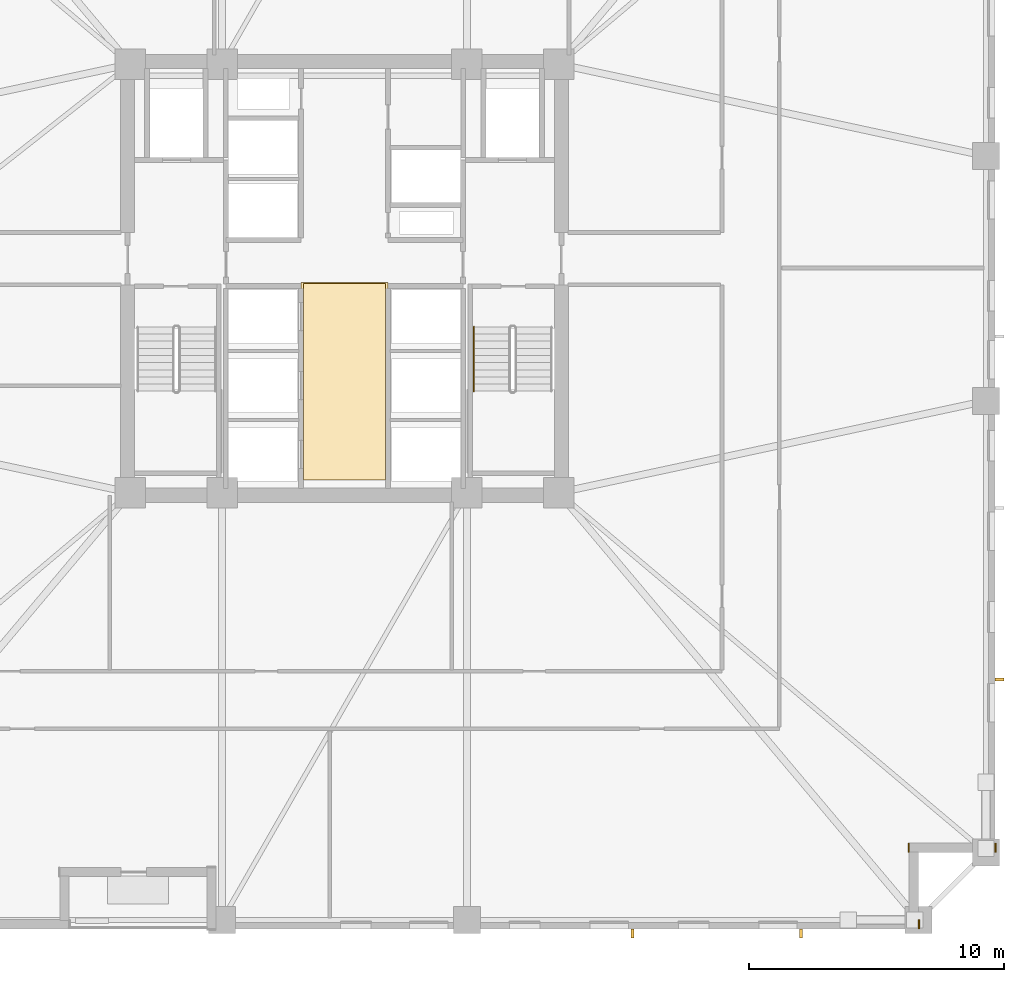
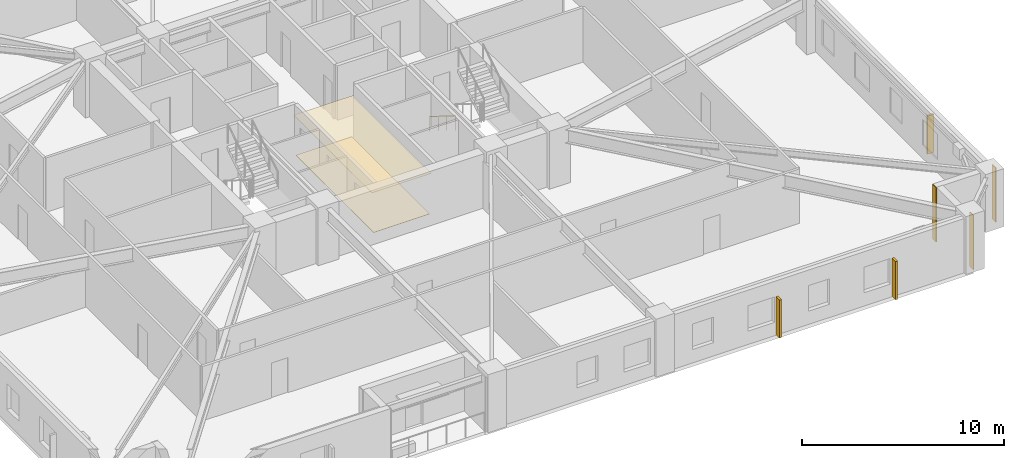
# One storey, part 7 of 10: 5 coverings, 3 shading devices, 1 railing.
"""IFC4 building model written with IfcOpenShell, lengths in metres."""

from ifc_helpers import new_model, si_unit, direction, frame, frame_2d, origin, origin_2d, place, context, subcontext, project, spatial, polyline, rectangle, circle, outline, extrude, material, layer, layer_set, type_object, element, save


model = new_model("IFC4")

# Units and contexts
model_context = context("Model", 3, precision=1e-05, world=origin(), true_north=direction((0.0, 1.0)))
body_context = subcontext(model_context, "Body", "Model", "MODEL_VIEW")
ifc_project = project(units=[si_unit("LENGTHUNIT", "METRE"), si_unit("AREAUNIT", "SQUARE_METRE"), si_unit("VOLUMEUNIT", "CUBIC_METRE"), si_unit("PLANEANGLEUNIT", "RADIAN"), si_unit("MASSUNIT", "GRAM", prefix="KILO")], contexts=[model_context])

# Site, building, storey
site_placement = place(None, origin())
site = spatial("IfcSite", under=ifc_project, at=site_placement, CompositionType="ELEMENT")
building_placement = place(site_placement, origin())
building = spatial("IfcBuilding", under=site, at=building_placement, Name="Cairnveth Concourse Tower", CompositionType="ELEMENT")
storey_placement = place(building_placement, frame((0.0, 0.0, 30.5)))
storey = spatial("IfcBuildingStorey", under=building, at=storey_placement, Name="L07", CompositionType="ELEMENT", Elevation=30.5)

# Coverings
ifc_material_1 = material(Name="Acoustic Mineral Fibre Ceiling", Category="gypsum")
ifc_layer_1 = layer(ifc_material_1, 0.02490234375)
ifc_layer_set_1 = layer_set([ifc_layer_1], Name="Acoustic Mineral Fibre Ceiling")
covering_type_1 = type_object("IfcCoveringType", Name="ACOUSTIC MINERAL FIBRE CEILING 25", PredefinedType="CEILING", material=ifc_layer_set_1)
covering_1_placement = place(storey_placement, frame((0.0, 0.0, 2.424072265625)))
element("IfcCovering", 1, at=covering_1_placement, inside=storey, type_object=covering_type_1, Name="Lift Lobby Acoustic Ceiling L07", PredefinedType="CEILING", context=body_context, shape_type="SweptSolid", body=[
    extrude(outline(polyline([(50.300048828125, 31.10009765625), (53.699951171875, 31.10009765625), (53.699951171875, 38.85009765625), (50.300048828125, 38.85009765625), (50.300048828125, 31.10009765625)])), origin(), (0.0, 0.0, 1.0), 0.02490234375),
])
ifc_material_2 = material(Name="Dressed Melbourne Bluestone Cladding", Category="masonry")
ifc_layer_2 = layer(ifc_material_2, 0.050048828125)
ifc_layer_set_2 = layer_set([ifc_layer_2], Name="Dressed Melbourne Bluestone Cladding")
covering_type_2 = type_object("IfcCoveringType", Name="DRESSED BLUESTONE PLINTH CLADDING 50", PredefinedType="CLADDING", material=ifc_layer_set_2)
for number, where, z_axis, x_axis, name in (
    (2, (77.52001953125, 16.860107421875, 0.0), (0.0, 0.0, 1.0), (0.0, -1.0, 0.0), "Melbourne Bluestone Corner Quoin L07-65"),
    (3, (74.1201171875, 16.860107421875, 0.0), (0.0, 0.0, 1.0), (0.0, -1.0, 0.0), "Melbourne Bluestone Corner Quoin L07-66"),
    (4, (74.52001953125, 13.860107421875, 0.0), (0.0, 0.0, 1.0), (0.0, -1.0, 0.0), "Melbourne Bluestone Corner Quoin L07-67"),
):
    element("IfcCovering", number, at=place(storey_placement, frame(where, z_axis=z_axis, x_axis=x_axis)), inside=storey, type_object=covering_type_2, Name=name, PredefinedType="CLADDING", context=body_context, shape_type="SweptSolid", body=[
        extrude(rectangle(XDim=0.360107421875, YDim=0.050048828125, at=frame_2d((0.18017578125, 0.0))), origin(), (0.0, 0.0, 1.0), 3.280029296875),
    ])

# Shading devices
ifc_material_3 = material(Name="Architectural Bronze Anodised Aluminium 6063-T6", Category="aluminium")
shading_device_type = type_object("IfcShadingDeviceType", Name="GOTHIC BRONZE VERTICAL LANCET FIN", PredefinedType="USERDEFINED", material=ifc_material_3)
for number, where, z_axis, x_axis, name in (
    (5, (77.675048828125, 23.278076171875, 0.02978515625), (0.0, 0.0, 1.0), (0.0, 1.0, 0.0), "Gothic Bronze Vertical Fin L07-9-11"),
    (6, (69.90478515625, 13.324951171875, 0.02978515625), (0.0, 0.0, 1.0), (1.0, 0.0, 0.0), "Gothic Bronze Vertical Fin L07-12-1"),
    (7, (63.2841796875, 13.324951171875, 0.02978515625), (0.0, 0.0, 1.0), (1.0, 0.0, 0.0), "Gothic Bronze Vertical Fin L07-12-3"),
):
    element("IfcShadingDevice", number, at=place(storey_placement, frame(where, z_axis=z_axis, x_axis=x_axis)), inside=storey, type_object=shading_device_type, Name=name, ObjectType="VERTICAL FIN", PredefinedType="USERDEFINED", context=body_context, shape_type="SweptSolid", body=[
        extrude(rectangle(XDim=0.1201171875, YDim=0.360107421875, at=origin_2d()), origin(), (0.0, 0.0, 1.0), 2.303955078125),
    ])

# Railing
ifc_material_4 = material(Name="Steel Grade 350", Category="steel")
railing_type = type_object("IfcRailingType", Name="STAIR WALL HANDRAIL 900", PredefinedType="HANDRAIL", material=ifc_material_4)
railing_placement = place(storey_placement, frame((57.070068359375, 37.10009765625, 0.175048828125)))
element("IfcRailing", 8, at=railing_placement, inside=storey, type_object=railing_type, Name="L07 ST-2 stair handrail 1", PredefinedType="HANDRAIL", context=body_context, shape_type="SweptSolid", body=[
    extrude(circle(Radius=0.02392578125, at=origin_2d()), frame((0.0, 0.0, 0.8759765625), z_axis=(0.0, -0.848007534815, 0.529984170421), x_axis=(1.0, 0.0, 0.0)), (0.0, 0.0, 1.0), 2.9716796875),
    extrude(circle(Radius=0.02099609375, at=origin_2d()), origin(), (0.0, 0.0, 1.0), 0.851806640625),
    extrude(circle(Radius=0.02099609375, at=origin_2d()), frame((0.0, -0.840087890625, 0.52490234375)), (0.0, 0.0, 1.0), 0.851806640625),
    extrude(circle(Radius=0.02099609375, at=origin_2d()), frame((0.0, -1.679931640625, 1.050048828125)), (0.0, 0.0, 1.0), 0.851806640625),
    extrude(circle(Radius=0.02099609375, at=origin_2d()), frame((0.0, -2.52001953125, 1.574951171875)), (0.0, 0.0, 1.0), 0.851806640625),
])

# Covering
ifc_material_5 = material(Name="Vitrified Stoneware Tile Flooring", Category="masonry")
ifc_layer_3 = layer(ifc_material_5, 0.02001953125)
ifc_layer_set_3 = layer_set([ifc_layer_3], Name="Vitrified Stoneware Tile Flooring")
covering_type_3 = type_object("IfcCoveringType", Name="VITRIFIED STONEWARE LOBBY FLOORING 20", PredefinedType="FLOORING", material=ifc_layer_set_3)
covering_2_placement = place(storey_placement, origin())
element("IfcCovering", 9, at=covering_2_placement, inside=storey, type_object=covering_type_3, Name="Lift Lobby Stoneware Flooring L07", PredefinedType="FLOORING", context=body_context, shape_type="SweptSolid", body=[
    extrude(outline(polyline([(50.39990234375, 31.10009765625), (53.60009765625, 31.10009765625), (53.60009765625, 38.800048828125), (50.39990234375, 38.800048828125), (50.39990234375, 31.10009765625)])), origin(), (0.0, 0.0, 1.0), 0.02001953125),
])

save(model, "model.ifc")
